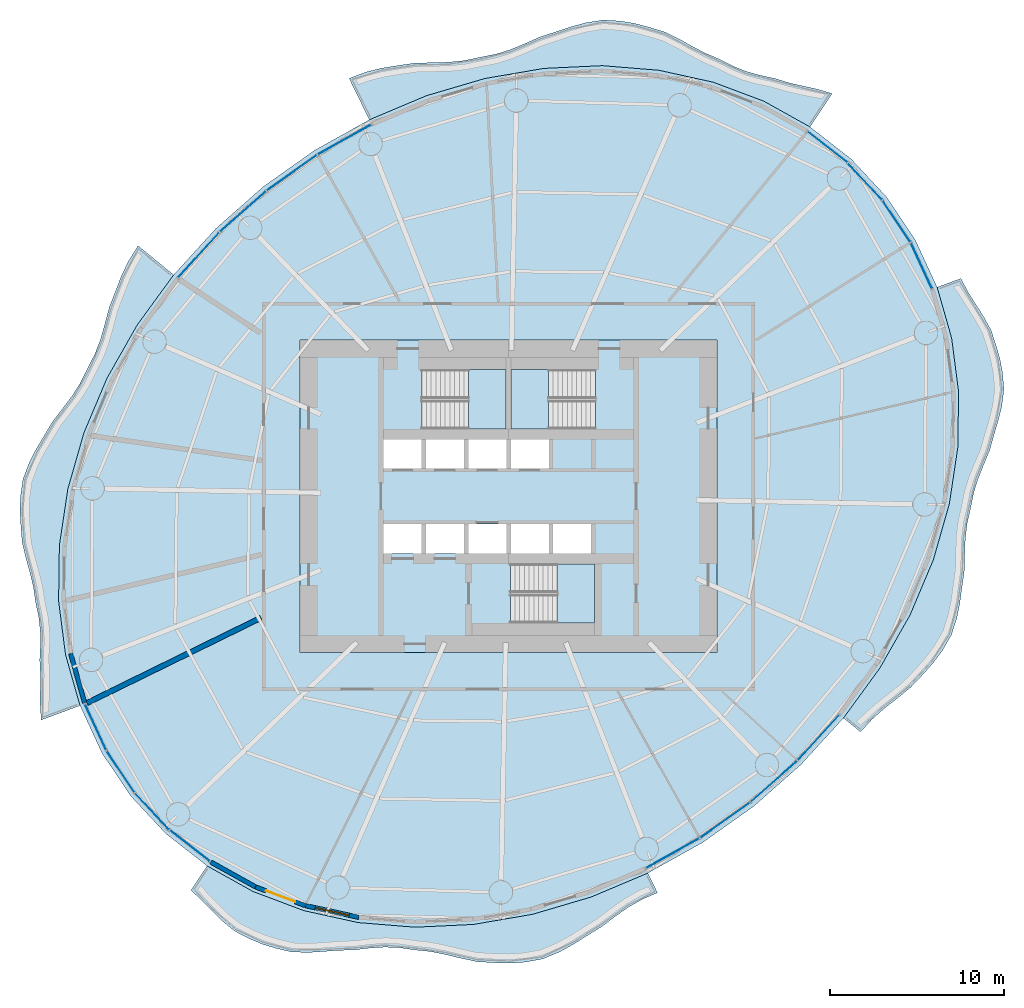
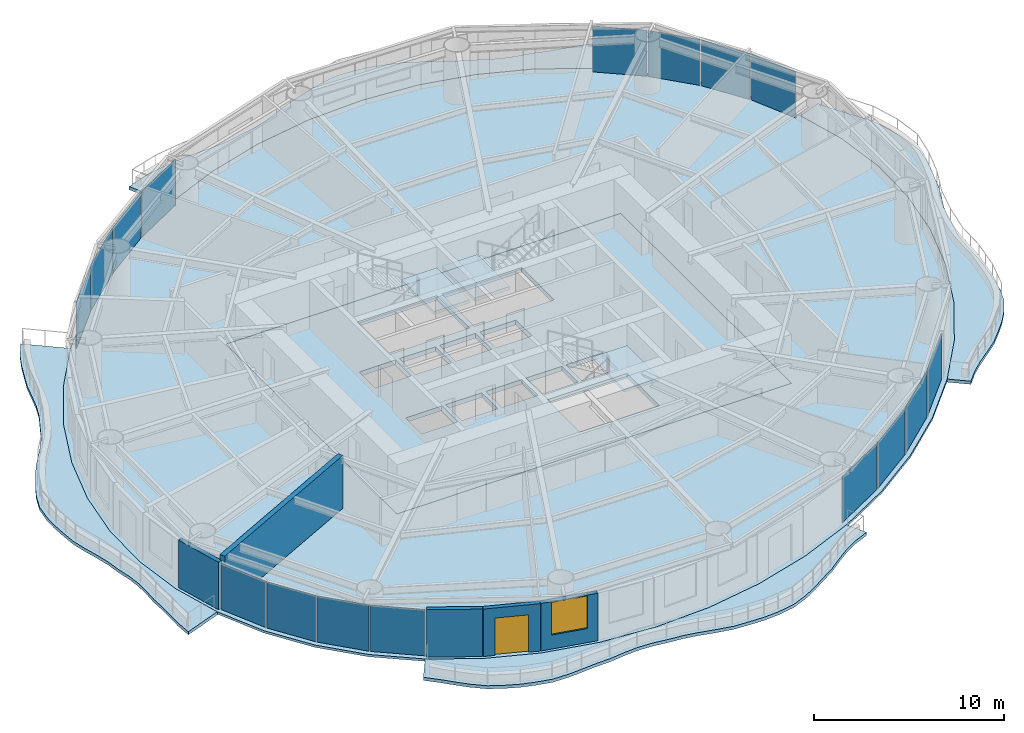
# One storey, part 7 of 14: 16 plates, 9 slabs, 5 walls, 1 door, 1 window, 2 openings, 19 elements without a shape of their own.
"""IFC4 building model written with IfcOpenShell, lengths in metres."""

from ifc_helpers import new_model, si_unit, direction, frame, frame_2d, origin, origin_2d, place, context, subcontext, project, spatial, polyline, rectangle, outline, extrude, material, layer, layer_set, type_object, element, fill, aggregate, save


model = new_model("IFC4")

# Units and contexts
model_context = context("Model", 3, precision=1e-05, world=origin(), true_north=direction((0.0, 1.0)))
body_context = subcontext(model_context, "Body", "Model", "MODEL_VIEW")
ifc_project = project(units=[si_unit("LENGTHUNIT", "METRE"), si_unit("AREAUNIT", "SQUARE_METRE"), si_unit("VOLUMEUNIT", "CUBIC_METRE"), si_unit("PLANEANGLEUNIT", "RADIAN"), si_unit("MASSUNIT", "GRAM", prefix="KILO")], contexts=[model_context])

# Site, building, storey
site_placement = place(None, origin())
site = spatial("IfcSite", under=ifc_project, at=site_placement, CompositionType="ELEMENT")
building_placement = place(site_placement, origin())
building = spatial("IfcBuilding", under=site, at=building_placement, Name="Vermilion Reach Broadcast Tower", CompositionType="ELEMENT")
storey_placement = place(building_placement, frame((0.0, 0.0, 186.60009765625)))
storey = spatial("IfcBuildingStorey", under=building, at=storey_placement, Name="L45", CompositionType="ELEMENT", Elevation=186.60009765625)

# Slabs
ifc_material_1 = material(Name="Concrete C40/50", Category="concrete")
ifc_layer_1 = layer(ifc_material_1, 0.199951171875)
ifc_layer_set_1 = layer_set([ifc_layer_1], Name="Balcony slab 200")
slab_type_1 = type_object("IfcSlabType", Name="Balcony slab 200", PredefinedType="FLOOR", material=ifc_layer_set_1)
placement_1 = place(storey_placement, frame((0.0, 0.0, -0.2001953125)))
element("IfcSlab", 1, at=placement_1, inside=storey, type_object=slab_type_1, Name="Balcony slab L45 group 1", PredefinedType="FLOOR", context=body_context, shape_type="SweptSolid", body=[
    extrude(outline(polyline([(11.361572265625, 21.275146484375), (8.69580078125, 22.758544921875), (5.77880859375, 23.852783203125), (2.66015625, 24.538818359375), (-0.6064453125, 24.804931640625), (-3.965576171875, 24.646728515625), (-7.359375, 24.066650390625), (-10.72998046875, 23.074951171875), (-14.01953125, 21.688232421875), (-15.1826171875, 24.072998046875), (-14.210693359375, 24.439453125), (-13.334716796875, 24.65869140625), (-12.42822265625, 24.805908203125), (-11.400390625, 24.95458984375), (-10.375244140625, 24.980712890625), (-9.467041015625, 25.005859375), (-8.577392578125, 25.09423828125), (-7.642822265625, 25.289794921875), (-6.72607421875, 25.469970703125), (-5.897216796875, 25.73046875), (-5.08154296875, 26.0673828125), (-4.163818359375, 26.472900390625), (-3.22412109375, 26.772705078125), (-2.3955078125, 27.048828125), (-1.564453125, 27.275146484375), (-0.5615234375, 27.434326171875), (0.425048828125, 27.376953125), (1.236572265625, 27.245361328125), (2.04150390625, 27.033935546875), (2.991943359375, 26.7490234375), (3.868408203125, 26.314697265625), (4.59619140625, 25.90771484375), (5.3291015625, 25.52392578125), (6.16796875, 25.167724609375), (6.95458984375, 24.769775390625), (7.677490234375, 24.478759765625), (8.427978515625, 24.262451171875), (9.305419921875, 24.076171875), (10.1572265625, 23.81591796875), (10.931396484375, 23.638671875), (11.71044921875, 23.47021484375), (12.63818359375, 23.201904296875), (11.361572265625, 21.275146484375)])), origin(), (0.0, 0.0, 1.0), 0.2001953125),
])
element("IfcSlab", 2, at=placement_1, inside=storey, type_object=slab_type_1, Name="Balcony slab L45 group 2", PredefinedType="FLOOR", context=body_context, shape_type="SweptSolid", body=[
    extrude(outline(polyline([(-25.283935546875, 12.76025390625), (-27.385009765625, 9.874267578125), (-29.120361328125, 6.819091796875), (-30.4599609375, 3.6474609375), (-31.381103515625, 0.413330078125), (-31.867919921875, -2.828125), (-31.912109375, -6.020751953125), (-31.51318359375, -9.110595703125), (-30.677490234375, -12.044677734375), (-32.915283203125, -12.87353515625), (-32.978271484375, -11.906982421875), (-32.96728515625, -11.11083984375), (-32.956298828125, -10.314697265625), (-33.0009765625, -9.4169921875), (-32.958740234375, -8.511962890625), (-32.96923828125, -7.72802734375), (-33.05712890625, -6.9541015625), (-33.236083984375, -6.0966796875), (-33.3671875, -5.202392578125), (-33.557861328125, -4.4013671875), (-33.782470703125, -3.599853515625), (-34.010498046875, -2.653076171875), (-34.087646484375, -1.666015625), (-34.13427734375, -0.830322265625), (-34.107421875, -0.005859375), (-33.9697265625, 0.973876953125), (-33.614501953125, 1.92333984375), (-33.2275390625, 2.687255859375), (-32.783203125, 3.43505859375), (-32.27783203125, 4.287353515625), (-31.66259765625, 5.089599609375), (-31.12890625, 5.798828125), (-30.6591796875, 6.53466796875), (-30.24365234375, 7.373046875), (-29.810791015625, 8.221435546875), (-29.4970703125, 9.053466796875), (-29.248779296875, 9.922607421875), (-28.986083984375, 10.906982421875), (-28.61474609375, 11.873291015625), (-28.280029296875, 12.733642578125), (-27.889892578125, 13.553466796875), (-27.3388671875, 14.436279296875), (-25.283935546875, 12.76025390625)])), origin(), (0.0, 0.0, 1.0), 0.2001953125),
])
element("IfcSlab", 3, at=placement_1, inside=storey, type_object=slab_type_1, Name="Balcony slab L45 group 3", PredefinedType="FLOOR", context=body_context, shape_type="SweptSolid", body=[
    extrude(outline(polyline([(-23.361572265625, -21.275146484375), (-20.69580078125, -22.758544921875), (-17.77880859375, -23.852783203125), (-14.66015625, -24.538818359375), (-11.3935546875, -24.804931640625), (-8.034423828125, -24.646728515625), (-4.640625, -24.066650390625), (-1.27001953125, -23.074951171875), (2.01953125, -21.688232421875), (2.5732421875, -22.8232421875), (1.68896484375, -23.201171875), (0.907958984375, -23.646728515625), (0.160888671875, -24.171875), (-0.658447265625, -24.78955078125), (-1.5244140625, -25.322265625), (-2.297119140625, -25.807373046875), (-3.085693359375, -26.2392578125), (-4.04541015625, -26.635009765625), (-5.0439453125, -26.816162109375), (-5.906982421875, -26.87646484375), (-6.7841796875, -26.853271484375), (-7.801513671875, -26.79248046875), (-8.78466796875, -26.5849609375), (-9.63623046875, -26.377685546875), (-10.485595703125, -26.209716796875), (-11.415771484375, -26.112548828125), (-12.311767578125, -25.98486328125), (-13.131103515625, -25.951904296875), (-13.95751953125, -26.003173828125), (-14.896728515625, -26.114501953125), (-15.830078125, -26.140869140625), (-16.661865234375, -26.206298828125), (-17.49072265625, -26.259033203125), (-18.4833984375, -26.234130859375), (-19.42138671875, -26.01416015625), (-20.167724609375, -25.786376953125), (-20.88623046875, -25.48388671875), (-21.753173828125, -25.043701171875), (-22.501953125, -24.435302734375), (-23.06591796875, -23.88037109375), (-23.6201171875, -23.307861328125), (-24.290283203125, -22.6767578125), (-23.361572265625, -21.275146484375)])), origin(), (0.0, 0.0, 1.0), 0.2001953125),
])
element("IfcSlab", 4, at=placement_1, inside=storey, type_object=slab_type_1, Name="Balcony slab L45 group 4", PredefinedType="FLOOR", context=body_context, shape_type="SweptSolid", body=[
    extrude(outline(polyline([(13.283935546875, -12.76025390625), (15.385009765625, -9.874267578125), (17.120361328125, -6.819091796875), (18.4599609375, -3.6474609375), (19.381103515625, -0.413330078125), (19.867919921875, 2.828125), (19.912109375, 6.020751953125), (19.51318359375, 9.110595703125), (18.677490234375, 12.044677734375), (20.0439453125, 12.55078125), (20.46484375, 11.7607421875), (20.88720703125, 11.088134765625), (21.319091796875, 10.41796875), (21.78271484375, 9.57763671875), (22.08251953125, 8.6572265625), (22.298828125, 7.89990234375), (22.440673828125, 7.1328125), (22.52685546875, 6.1708984375), (22.39599609375, 5.18798828125), (22.202392578125, 4.392333984375), (21.965087890625, 3.597412109375), (21.709716796875, 2.677734375), (21.336669921875, 1.77880859375), (21.02490234375, 0.9970703125), (20.780029296875, 0.205322265625), (20.60546875, -0.678466796875), (20.400634765625, -1.57763671875), (20.30126953125, -2.423583984375), (20.267578125, -3.2880859375), (20.2421875, -4.27490234375), (20.10205078125, -5.275390625), (19.9814453125, -6.158935546875), (19.80615234375, -7.01904296875), (19.4931640625, -7.989013671875), (18.975830078125, -8.883056640625), (18.448486328125, -9.59375), (17.8486328125, -10.263427734375), (17.142333984375, -11.0078125), (16.32861328125, -11.6650390625), (15.6005859375, -12.23876953125), (14.918701171875, -12.8466796875), (14.26611328125, -13.561279296875), (13.283935546875, -12.76025390625)])), origin(), (0.0, 0.0, 1.0), 0.2001953125),
])
ifc_material_2 = material(Name="Concrete C40", Category="concrete")
ifc_layer_2 = layer(ifc_material_2, 0.300048828125)
ifc_layer_set_2 = layer_set([ifc_layer_2], Name="Core floor slab 300 mm Concrete C40")
slab_type_2 = type_object("IfcSlabType", Name="Core floor slab 300 mm Concrete C40", PredefinedType="FLOOR", material=ifc_layer_set_2)
slab_5_placement = place(storey_placement, frame((0.0, 0.0, -0.300048828125)))
element("IfcSlab", 5, at=slab_5_placement, inside=storey, type_object=slab_type_2, Name="L45 core floor", PredefinedType="FLOOR", context=body_context, shape_type="SweptSolid", body=[
    extrude(outline(polyline([(-18.0, -9.0), (6.0, -9.0), (6.0, 9.0), (-18.0, 9.0), (-18.0, -9.0)]), holes=[polyline([(-13.199951171875, 1.60009765625), (-11.00830078125, 1.60009765625), (-11.00830078125, 3.280029296875), (-13.199951171875, 3.280029296875), (-13.199951171875, 1.60009765625)]), polyline([(-10.75830078125, 1.60009765625), (-8.566650390625, 1.60009765625), (-8.566650390625, 3.280029296875), (-10.75830078125, 3.280029296875), (-10.75830078125, 1.60009765625)]), polyline([(-8.316650390625, 1.60009765625), (-6.125, 1.60009765625), (-6.125, 3.280029296875), (-8.316650390625, 3.280029296875), (-8.316650390625, 1.60009765625)]), polyline([(-5.875, 1.60009765625), (-3.683349609375, 1.60009765625), (-3.683349609375, 3.280029296875), (-5.875, 3.280029296875), (-5.875, 1.60009765625)]), polyline([(-13.199951171875, -3.280029296875), (-11.00830078125, -3.280029296875), (-11.00830078125, -1.60009765625), (-13.199951171875, -1.60009765625), (-13.199951171875, -3.280029296875)]), polyline([(-10.75830078125, -3.280029296875), (-8.566650390625, -3.280029296875), (-8.566650390625, -1.60009765625), (-10.75830078125, -1.60009765625), (-10.75830078125, -3.280029296875)]), polyline([(-8.316650390625, -3.280029296875), (-6.125, -3.280029296875), (-6.125, -1.60009765625), (-8.316650390625, -1.60009765625), (-8.316650390625, -3.280029296875)]), polyline([(-5.875, -3.280029296875), (-3.683349609375, -3.280029296875), (-3.683349609375, -1.60009765625), (-5.875, -1.60009765625), (-5.875, -3.280029296875)]), polyline([(-3.433349609375, -3.280029296875), (-1.24169921875, -3.280029296875), (-1.24169921875, -1.60009765625), (-3.433349609375, -1.60009765625), (-3.433349609375, -3.280029296875)]), polyline([(-10.999267578125, 3.8798828125), (-6.14990234375, 3.8798828125), (-6.14990234375, 7.300048828125), (-10.999267578125, 7.300048828125), (-10.999267578125, 3.8798828125)]), polyline([(-1.000732421875, 7.300048828125), (-5.85009765625, 7.300048828125), (-5.85009765625, 3.8798828125), (-1.000732421875, 3.8798828125), (-1.000732421875, 7.300048828125)]), polyline([(-5.8994140625, -7.300048828125), (-1.050048828125, -7.300048828125), (-1.050048828125, -3.8798828125), (-5.8994140625, -3.8798828125), (-5.8994140625, -7.300048828125)])]), origin(), (0.0, 0.0, 1.0), 0.300048828125),
])

# Stair, slab
ifc_material_3 = material(Name="Concrete C40", Category="concrete")
stair_type = type_object("IfcStairType", Name="Exit stair RC 22 risers 164 mm", PredefinedType="HALF_TURN_STAIR", material=ifc_material_3)
placement_2 = place(storey_placement, origin())
stair_1 = element("IfcStair", 6, at=placement_2, inside=storey, type_object=stair_type, Name="L45 Exit stair ST1", PredefinedType="HALF_TURN_STAIR")
ifc_material_4 = material(Name="Concrete C40", Category="concrete")
ifc_layer_3 = layer(ifc_material_4, 0.199951171875)
ifc_layer_set_3 = layer_set([ifc_layer_3], Name="Exit stair landing Concrete C40")
slab_type_3 = type_object("IfcSlabType", Name="Exit stair landing Concrete C40", PredefinedType="LANDING", material=ifc_layer_set_3)
placement_3 = place(storey_placement, frame((0.0, 0.0, 1.599853515625)))
slab_6 = element("IfcSlab", 7, at=placement_3, type_object=slab_type_3, Name="ST1 landing 1", PredefinedType="LANDING", context=body_context, shape_type="SweptSolid", body=[
    extrude(outline(polyline([(-8.300048828125, 3.8798828125), (-6.14990234375, 3.8798828125), (-6.14990234375, 7.300048828125), (-8.300048828125, 7.300048828125), (-8.300048828125, 3.8798828125)])), origin(), (0.0, 0.0, 1.0), 0.199951171875),
])
aggregate(stair_1, [slab_6])

stair_2 = element("IfcStair", 8, at=placement_2, inside=storey, type_object=stair_type, Name="L45 Exit stair ST2", PredefinedType="HALF_TURN_STAIR")
slab_7 = element("IfcSlab", 9, at=placement_3, type_object=slab_type_3, Name="ST2 landing 1", PredefinedType="LANDING", context=body_context, shape_type="SweptSolid", body=[
    extrude(outline(polyline([(-3.699951171875, 7.300048828125), (-5.85009765625, 7.300048828125), (-5.85009765625, 3.8798828125), (-3.699951171875, 3.8798828125), (-3.699951171875, 7.300048828125)])), origin(), (0.0, 0.0, 1.0), 0.199951171875),
])
aggregate(stair_2, [slab_7])

stair_3 = element("IfcStair", 10, at=placement_2, inside=storey, type_object=stair_type, Name="L45 Exit stair ST3", PredefinedType="HALF_TURN_STAIR")
slab_8 = element("IfcSlab", 11, at=placement_3, type_object=slab_type_3, Name="ST3 landing 1", PredefinedType="LANDING", context=body_context, shape_type="SweptSolid", body=[
    extrude(outline(polyline([(-3.199951171875, -7.300048828125), (-1.050048828125, -7.300048828125), (-1.050048828125, -3.8798828125), (-3.199951171875, -3.8798828125), (-3.199951171875, -7.300048828125)])), origin(), (0.0, 0.0, 1.0), 0.199951171875),
])
aggregate(stair_3, [slab_8])

# Slab
ifc_material_5 = material(Name="Concrete C40", Category="concrete")
ifc_layer_4 = layer(ifc_material_5, 0.14990234375)
ifc_layer_set_4 = layer_set([ifc_layer_4], Name="Floor slab Concrete C40 composite 150")
slab_type_4 = type_object("IfcSlabType", Name="Floor slab Concrete C40 composite 150", PredefinedType="FLOOR", material=ifc_layer_set_4)
slab_9_placement = place(storey_placement, frame((0.0, 0.0, -0.150146484375)))
element("IfcSlab", 12, at=slab_9_placement, inside=storey, type_object=slab_type_4, Name="Floor slab L45", PredefinedType="FLOOR", context=body_context, shape_type="SweptSolid", body=[
    extrude(outline(polyline([(15.760986328125, 17.24755859375), (13.72998046875, 19.427490234375), (11.361572265625, 21.275146484375), (8.69580078125, 22.758544921875), (5.77880859375, 23.852783203125), (2.66015625, 24.538818359375), (-0.6064453125, 24.804931640625), (-3.965576171875, 24.646728515625), (-7.359375, 24.066650390625), (-10.72998046875, 23.074951171875), (-14.01953125, 21.688232421875), (-17.172119140625, 19.9306640625), (-20.13330078125, 17.831787109375), (-22.852783203125, 15.427978515625), (-25.283935546875, 12.76025390625), (-27.385009765625, 9.874267578125), (-29.120361328125, 6.819091796875), (-30.4599609375, 3.6474609375), (-31.381103515625, 0.413330078125), (-31.867919921875, -2.828125), (-31.912109375, -6.020751953125), (-31.51318359375, -9.110595703125), (-30.677490234375, -12.044677734375), (-29.419677734375, -14.7724609375), (-27.760986328125, -17.24755859375), (-25.72998046875, -19.427490234375), (-23.361572265625, -21.275146484375), (-20.69580078125, -22.758544921875), (-17.77880859375, -23.852783203125), (-14.66015625, -24.538818359375), (-11.3935546875, -24.804931640625), (-8.034423828125, -24.646728515625), (-4.640625, -24.066650390625), (-1.27001953125, -23.074951171875), (2.01953125, -21.688232421875), (5.172119140625, -19.9306640625), (8.13330078125, -17.831787109375), (10.852783203125, -15.427978515625), (13.283935546875, -12.76025390625), (15.385009765625, -9.874267578125), (17.120361328125, -6.819091796875), (18.4599609375, -3.6474609375), (19.381103515625, -0.413330078125), (19.867919921875, 2.828125), (19.912109375, 6.020751953125), (19.51318359375, 9.110595703125), (18.677490234375, 12.044677734375), (17.419677734375, 14.7724609375), (15.760986328125, 17.24755859375)]), holes=[polyline([(-18.0, -9.0), (6.0, -9.0), (6.0, 9.0), (-18.0, 9.0), (-18.0, -9.0)])]), origin(), (0.0, 0.0, 1.0), 0.150146484375),
])

# Curtain wall, plate
ifc_material_6 = material(Name="Low-e laminated clear glass in aluminium frame", Category="aluminium")
curtain_wall_type = type_object("IfcCurtainWallType", Name="Slot curtain wall", PredefinedType="NOTDEFINED", material=ifc_material_6)
curtain_wall_1 = element("IfcCurtainWall", 13, at=placement_2, inside=storey, type_object=curtain_wall_type, Name="Slot curtain wall L45 46", PredefinedType="NOTDEFINED")
ifc_material_7 = material(Name="Low-e laminated clear glass", Category="glass")
ifc_layer_5 = layer(ifc_material_7, 0.028076171875)
ifc_layer_set_5 = layer_set([ifc_layer_5], Name="Slot glass panel")
plate_type = type_object("IfcPlateType", Name="Slot glass panel", PredefinedType="CURTAIN_PANEL", material=ifc_layer_set_5)
plate_1_placement = place(storey_placement, frame((17.77685546875, 13.283203125, 0.0), z_axis=(0.0, 0.0, 1.0), x_axis=(-0.418746562488, 0.908103141942, 0.0)))
plate_1 = element("IfcPlate", 14, at=plate_1_placement, type_object=plate_type, Name="Slot glass panel L45 46", PredefinedType="CURTAIN_PANEL", context=body_context, shape_type="SweptSolid", body=[
    extrude(rectangle(XDim=2.876953125, YDim=0.028076171875, at=origin_2d()), origin(), (0.0, 0.0, 1.0), 2.949951171875),
])
aggregate(curtain_wall_1, [plate_1])

curtain_wall_2 = element("IfcCurtainWall", 15, at=placement_2, inside=storey, type_object=curtain_wall_type, Name="Slot curtain wall L45 47", PredefinedType="NOTDEFINED")
plate_2_placement = place(storey_placement, frame((16.341796875, 15.843505859375, 0.0), z_axis=(0.0, 0.0, 1.0), x_axis=(-0.556683660747, 0.830724564376, 0.0)))
plate_2 = element("IfcPlate", 16, at=plate_2_placement, type_object=plate_type, Name="Slot glass panel L45 47", PredefinedType="CURTAIN_PANEL", context=body_context, shape_type="SweptSolid", body=[
    extrude(rectangle(XDim=2.851806640625, YDim=0.028076171875, at=origin_2d()), origin(), (0.0, 0.0, 1.0), 2.949951171875),
])
aggregate(curtain_wall_2, [plate_2])

curtain_wall_3 = element("IfcCurtainWall", 17, at=placement_2, inside=storey, type_object=curtain_wall_type, Name="Slot curtain wall L45 00", PredefinedType="NOTDEFINED")
plate_3_placement = place(storey_placement, frame((14.526611328125, 18.1337890625, 0.0), z_axis=(0.0, 0.0, 1.0), x_axis=(-0.681656703686, 0.73167215221, 0.0)))
plate_3 = element("IfcPlate", 18, at=plate_3_placement, type_object=plate_type, Name="Slot glass panel L45 00", PredefinedType="CURTAIN_PANEL", context=body_context, shape_type="SweptSolid", body=[
    extrude(rectangle(XDim=2.851806640625, YDim=0.028076171875, at=origin_2d()), origin(), (0.0, 0.0, 1.0), 2.949951171875),
])
aggregate(curtain_wall_3, [plate_3])

curtain_wall_4 = element("IfcCurtainWall", 19, at=placement_2, inside=storey, type_object=curtain_wall_type, Name="Slot curtain wall L45 01", PredefinedType="NOTDEFINED")
plate_4_placement = place(storey_placement, frame((12.361572265625, 20.115478515625, 0.0), z_axis=(0.0, 0.0, 1.0), x_axis=(-0.788488896711, 0.615048989727, 0.0)))
plate_4 = element("IfcPlate", 20, at=plate_4_placement, type_object=plate_type, Name="Slot glass panel L45 01", PredefinedType="CURTAIN_PANEL", context=body_context, shape_type="SweptSolid", body=[
    extrude(rectangle(XDim=2.876953125, YDim=0.028076171875, at=origin_2d()), origin(), (0.0, 0.0, 1.0), 2.949951171875),
])
aggregate(curtain_wall_4, [plate_4])

curtain_wall_5 = element("IfcCurtainWall", 21, at=placement_2, inside=storey, type_object=curtain_wall_type, Name="Slot curtain wall L45 10", PredefinedType="NOTDEFINED")
plate_5_placement = place(storey_placement, frame((-15.449951171875, 20.5478515625, 0.0), z_axis=(0.0, 0.0, 1.0), x_axis=(-0.87341163473, -0.486982665315, 0.0)))
plate_5 = element("IfcPlate", 22, at=plate_5_placement, type_object=plate_type, Name="Slot glass panel L45 10", PredefinedType="CURTAIN_PANEL", context=body_context, shape_type="SweptSolid", body=[
    extrude(rectangle(XDim=3.496826171875, YDim=0.028076171875, at=origin_2d()), origin(), (0.0, 0.0, 1.0), 2.949951171875),
])
aggregate(curtain_wall_5, [plate_5])

curtain_wall_6 = element("IfcCurtainWall", 23, at=placement_2, inside=storey, type_object=curtain_wall_type, Name="Slot curtain wall L45 11", PredefinedType="NOTDEFINED")
plate_6_placement = place(storey_placement, frame((-18.4794921875, 18.63671875, 0.0), z_axis=(0.0, 0.0, 1.0), x_axis=(-0.81587849348, -0.578223385793, 0.0)))
plate_6 = element("IfcPlate", 24, at=plate_6_placement, type_object=plate_type, Name="Slot glass panel L45 11", PredefinedType="CURTAIN_PANEL", context=body_context, shape_type="SweptSolid", body=[
    extrude(rectangle(XDim=3.517333984375, YDim=0.028076171875, at=origin_2d()), origin(), (0.0, 0.0, 1.0), 2.949951171875),
])
aggregate(curtain_wall_6, [plate_6])

curtain_wall_7 = element("IfcCurtainWall", 25, at=placement_2, inside=storey, type_object=curtain_wall_type, Name="Slot curtain wall L45 12", PredefinedType="NOTDEFINED")
plate_7_placement = place(storey_placement, frame((-21.294677734375, 16.405517578125, 0.0), z_axis=(0.0, 0.0, 1.0), x_axis=(-0.749252638142, -0.662284292609, 0.0)))
plate_7 = element("IfcPlate", 26, at=plate_7_placement, type_object=plate_type, Name="Slot glass panel L45 12", PredefinedType="CURTAIN_PANEL", context=body_context, shape_type="SweptSolid", body=[
    extrude(rectangle(XDim=3.517333984375, YDim=0.028076171875, at=origin_2d()), origin(), (0.0, 0.0, 1.0), 2.949951171875),
])
aggregate(curtain_wall_7, [plate_7])

curtain_wall_8 = element("IfcCurtainWall", 27, at=placement_2, inside=storey, type_object=curtain_wall_type, Name="Slot curtain wall L45 13", PredefinedType="NOTDEFINED")
plate_8_placement = place(storey_placement, frame((-23.846923828125, 13.892578125, 0.0), z_axis=(0.0, 0.0, 1.0), x_axis=(-0.673560296624, -0.739132279644, 0.0)))
plate_8 = element("IfcPlate", 28, at=plate_8_placement, type_object=plate_type, Name="Slot glass panel L45 13", PredefinedType="CURTAIN_PANEL", context=body_context, shape_type="SweptSolid", body=[
    extrude(rectangle(XDim=3.496826171875, YDim=0.028076171875, at=origin_2d()), origin(), (0.0, 0.0, 1.0), 2.949951171875),
])
aggregate(curtain_wall_8, [plate_8])

curtain_wall_9 = element("IfcCurtainWall", 29, at=placement_2, inside=storey, type_object=curtain_wall_type, Name="Slot curtain wall L45 22", PredefinedType="NOTDEFINED")
plate_9_placement = place(storey_placement, frame((-29.77685546875, -13.283203125, 0.0), z_axis=(0.0, 0.0, 1.0), x_axis=(0.418746562488, -0.908103141942, 0.0)))
plate_9 = element("IfcPlate", 30, at=plate_9_placement, type_object=plate_type, Name="Slot glass panel L45 22", PredefinedType="CURTAIN_PANEL", context=body_context, shape_type="SweptSolid", body=[
    extrude(rectangle(XDim=2.876953125, YDim=0.028076171875, at=origin_2d()), origin(), (0.0, 0.0, 1.0), 2.949951171875),
])
aggregate(curtain_wall_9, [plate_9])

curtain_wall_10 = element("IfcCurtainWall", 31, at=placement_2, inside=storey, type_object=curtain_wall_type, Name="Slot curtain wall L45 23", PredefinedType="NOTDEFINED")
plate_10_placement = place(storey_placement, frame((-28.341796875, -15.843505859375, 0.0), z_axis=(0.0, 0.0, 1.0), x_axis=(0.556683660747, -0.830724564376, 0.0)))
plate_10 = element("IfcPlate", 32, at=plate_10_placement, type_object=plate_type, Name="Slot glass panel L45 23", PredefinedType="CURTAIN_PANEL", context=body_context, shape_type="SweptSolid", body=[
    extrude(rectangle(XDim=2.851806640625, YDim=0.028076171875, at=origin_2d()), origin(), (0.0, 0.0, 1.0), 2.949951171875),
])
aggregate(curtain_wall_10, [plate_10])

curtain_wall_11 = element("IfcCurtainWall", 33, at=placement_2, inside=storey, type_object=curtain_wall_type, Name="Slot curtain wall L45 24", PredefinedType="NOTDEFINED")
plate_11_placement = place(storey_placement, frame((-26.526611328125, -18.1337890625, 0.0), z_axis=(0.0, 0.0, 1.0), x_axis=(0.681656703686, -0.73167215221, 0.0)))
plate_11 = element("IfcPlate", 34, at=plate_11_placement, type_object=plate_type, Name="Slot glass panel L45 24", PredefinedType="CURTAIN_PANEL", context=body_context, shape_type="SweptSolid", body=[
    extrude(rectangle(XDim=2.851806640625, YDim=0.028076171875, at=origin_2d()), origin(), (0.0, 0.0, 1.0), 2.949951171875),
])
aggregate(curtain_wall_11, [plate_11])

curtain_wall_12 = element("IfcCurtainWall", 35, at=placement_2, inside=storey, type_object=curtain_wall_type, Name="Slot curtain wall L45 25", PredefinedType="NOTDEFINED")
plate_12_placement = place(storey_placement, frame((-24.361572265625, -20.115478515625, 0.0), z_axis=(0.0, 0.0, 1.0), x_axis=(0.788488896711, -0.615048989727, 0.0)))
plate_12 = element("IfcPlate", 36, at=plate_12_placement, type_object=plate_type, Name="Slot glass panel L45 25", PredefinedType="CURTAIN_PANEL", context=body_context, shape_type="SweptSolid", body=[
    extrude(rectangle(XDim=2.876953125, YDim=0.028076171875, at=origin_2d()), origin(), (0.0, 0.0, 1.0), 2.949951171875),
])
aggregate(curtain_wall_12, [plate_12])

curtain_wall_13 = element("IfcCurtainWall", 37, at=placement_2, inside=storey, type_object=curtain_wall_type, Name="Slot curtain wall L45 34", PredefinedType="NOTDEFINED")
plate_13_placement = place(storey_placement, frame((3.449951171875, -20.5478515625, 0.0), z_axis=(0.0, 0.0, 1.0), x_axis=(0.87341163473, 0.486982665315, 0.0)))
plate_13 = element("IfcPlate", 38, at=plate_13_placement, type_object=plate_type, Name="Slot glass panel L45 34", PredefinedType="CURTAIN_PANEL", context=body_context, shape_type="SweptSolid", body=[
    extrude(rectangle(XDim=3.496826171875, YDim=0.028076171875, at=origin_2d()), origin(), (0.0, 0.0, 1.0), 2.949951171875),
])
aggregate(curtain_wall_13, [plate_13])

curtain_wall_14 = element("IfcCurtainWall", 39, at=placement_2, inside=storey, type_object=curtain_wall_type, Name="Slot curtain wall L45 35", PredefinedType="NOTDEFINED")
plate_14_placement = place(storey_placement, frame((6.4794921875, -18.63671875, 0.0), z_axis=(0.0, 0.0, 1.0), x_axis=(0.81587849348, 0.578223385793, 0.0)))
plate_14 = element("IfcPlate", 40, at=plate_14_placement, type_object=plate_type, Name="Slot glass panel L45 35", PredefinedType="CURTAIN_PANEL", context=body_context, shape_type="SweptSolid", body=[
    extrude(rectangle(XDim=3.517333984375, YDim=0.028076171875, at=origin_2d()), origin(), (0.0, 0.0, 1.0), 2.949951171875),
])
aggregate(curtain_wall_14, [plate_14])

curtain_wall_15 = element("IfcCurtainWall", 41, at=placement_2, inside=storey, type_object=curtain_wall_type, Name="Slot curtain wall L45 36", PredefinedType="NOTDEFINED")
plate_15_placement = place(storey_placement, frame((9.294677734375, -16.405517578125, 0.0), z_axis=(0.0, 0.0, 1.0), x_axis=(0.749252638142, 0.662284292609, 0.0)))
plate_15 = element("IfcPlate", 42, at=plate_15_placement, type_object=plate_type, Name="Slot glass panel L45 36", PredefinedType="CURTAIN_PANEL", context=body_context, shape_type="SweptSolid", body=[
    extrude(rectangle(XDim=3.517333984375, YDim=0.028076171875, at=origin_2d()), origin(), (0.0, 0.0, 1.0), 2.949951171875),
])
aggregate(curtain_wall_15, [plate_15])

curtain_wall_16 = element("IfcCurtainWall", 43, at=placement_2, inside=storey, type_object=curtain_wall_type, Name="Slot curtain wall L45 37", PredefinedType="NOTDEFINED")
plate_16_placement = place(storey_placement, frame((11.846923828125, -13.892578125, 0.0), z_axis=(0.0, 0.0, 1.0), x_axis=(0.673560296624, 0.739132279644, 0.0)))
plate_16 = element("IfcPlate", 44, at=plate_16_placement, type_object=plate_type, Name="Slot glass panel L45 37", PredefinedType="CURTAIN_PANEL", context=body_context, shape_type="SweptSolid", body=[
    extrude(rectangle(XDim=3.496826171875, YDim=0.028076171875, at=origin_2d()), origin(), (0.0, 0.0, 1.0), 2.949951171875),
])
aggregate(curtain_wall_16, [plate_16])

# Walls
ifc_material_8 = material(Name="Double-leaf plasterboard on isolated steel stud", Category="steel")
ifc_layer_6 = layer(ifc_material_8, 0.300048828125)
ifc_layer_set_6 = layer_set([ifc_layer_6], Name="Partition 300 acoustic double leaf")
wall_type_1 = type_object("IfcWallType", Name="Partition 300 acoustic double leaf", PredefinedType="PARTITIONING", material=ifc_layer_set_6)
wall_1_placement = place(storey_placement, frame((-30.27880859375, -11.897216796875, 0.0), z_axis=(0.0, 0.0, 1.0), x_axis=(0.897980611591, 0.440035022704, 0.0)))
element("IfcWall", 45, at=wall_1_placement, inside=storey, type_object=wall_type_1, Name="Partition 45.07", PredefinedType="PARTITIONING", context=body_context, shape_type="SweptSolid", body=[
    extrude(rectangle(XDim=11.150146484375, YDim=0.300048828125, at=frame_2d((5.5751953125, 0.0))), origin(), (0.0, 0.0, 1.0), 3.39990234375),
])
ifc_material_9 = material(Name="Terracotta rainscreen cladding", Category="masonry")
ifc_layer_7 = layer(ifc_material_9, 0.25)
ifc_layer_set_7 = layer_set([ifc_layer_7], Name="Terracotta rainscreen wall 250")
wall_type_2 = type_object("IfcWallType", Name="Terracotta rainscreen wall 250", PredefinedType="SOLIDWALL", material=ifc_layer_set_7)
for number, where, z_axis, x_axis, name in (
    (46, (-31.215576171875, -9.063232421875, 0.0), (0.0, 0.0, 1.0), (0.273919515729, -0.96175261835, 0.0), "External wall L45 21"),
    (47, (-23.14794921875, -21.051513671875, 0.0), (0.0, 0.0, 1.0), (0.87378450028, -0.486313321914, 0.0), "External wall L45 26"),
):
    element("IfcWall", number, at=place(storey_placement, frame(where, z_axis=z_axis, x_axis=x_axis)), inside=storey, type_object=wall_type_2, Name=name, PredefinedType="SOLIDWALL", context=body_context, shape_type="SweptSolid", body=[
        extrude(rectangle(XDim=2.936767578125, YDim=0.25, at=frame_2d((1.46826171875, 0.0))), origin(), (0.0, 0.0, 1.0), 3.0498046875),
    ])

# Wall, opening, door
wall_2_placement = place(storey_placement, frame((-20.5576171875, -22.490966796875, 0.0), z_axis=(0.0, 0.0, 1.0), x_axis=(0.936302820001, -0.351193720413, 0.0)))
wall_2 = element("IfcWall", 48, at=wall_2_placement, inside=storey, type_object=wall_type_2, Name="External wall L45 27", PredefinedType="SOLIDWALL", context=body_context, shape_type="SweptSolid", body=[
    extrude(rectangle(XDim=3.045654296875, YDim=0.25, at=frame_2d((1.52294921875, 0.0))), origin(), (0.0, 0.0, 1.0), 3.0498046875),
])
opening_1_placement = place(wall_2_placement, frame((0.623046875, 0.0, 0.0)))
opening_1 = element("IfcOpeningElement", 49, at=opening_1_placement, cuts=wall_2, Name="Opening D70", PredefinedType="OPENING", context=body_context, shape_type="SweptSolid", body=[
    extrude(rectangle(XDim=1.800048828125, YDim=2.39990234375, at=frame_2d((0.89990234375, 1.199951171875))), frame((0.0, 0.135009765625, 0.0), z_axis=(0.0, -1.0, 0.0), x_axis=(1.0, 0.0, 0.0)), (0.0, 0.0, 1.0), 0.27001953125),
])
ifc_material_10 = material(Name="Low-e laminated clear glass in aluminium frame", Category="aluminium")
door_type = type_object("IfcDoorType", Name="Balcony sliding door 1800 x 2400", OperationType="DOUBLE_DOOR_SLIDING", PredefinedType="DOOR", material=ifc_material_10)
door_placement = place(opening_1_placement, origin())
door = element("IfcDoor", 50, at=door_placement, inside=storey, type_object=door_type, Name="Balcony door L45 run 07", OperationType="DOUBLE_DOOR_SLIDING", OverallHeight=2.39990234375, OverallWidth=1.800048828125, PredefinedType="DOOR", context=body_context, shape_type="SweptSolid", body=[
    extrude(rectangle(XDim=1.800048828125, YDim=2.39990234375, at=frame_2d((0.89990234375, 1.199951171875))), frame((0.0, 0.02490234375, 0.0), z_axis=(0.0, -1.0, 0.0), x_axis=(1.0, 0.0, 0.0)), (0.0, 0.0, 1.0), 0.050048828125),
])
fill(opening_1, door)

# Wall, opening, window
wall_3_placement = place(storey_placement, frame((-17.681396484375, -23.56787109375, 0.0), z_axis=(0.0, 0.0, 1.0), x_axis=(0.976666093786, -0.214763454175, 0.0)))
wall_3 = element("IfcWall", 51, at=wall_3_placement, inside=storey, type_object=wall_type_2, Name="External wall L45 28", PredefinedType="SOLIDWALL", context=body_context, shape_type="SweptSolid", body=[
    extrude(rectangle(XDim=3.126220703125, YDim=0.25, at=frame_2d((1.56298828125, 0.0))), origin(), (0.0, 0.0, 1.0), 3.0498046875),
])
opening_2_placement = place(wall_3_placement, frame((0.56298828125, 0.0, 0.89990234375)))
opening_2 = element("IfcOpeningElement", 52, at=opening_2_placement, cuts=wall_3, Name="Opening W03", PredefinedType="OPENING", context=body_context, shape_type="SweptSolid", body=[
    extrude(rectangle(XDim=2.0, YDim=2.10009765625, at=frame_2d((1.0, 1.050048828125))), frame((0.0, 0.135009765625, 0.0), z_axis=(0.0, -1.0, 0.0), x_axis=(1.0, 0.0, 0.0)), (0.0, 0.0, 1.0), 0.27001953125),
])
ifc_material_11 = material(Name="Low-e laminated clear glass in aluminium frame", Category="aluminium")
window_type = type_object("IfcWindowType", Name="Punched window 2000 x 2100 sill 900", PartitioningType="SINGLE_PANEL", PredefinedType="WINDOW", material=ifc_material_11)
window_placement = place(opening_2_placement, origin())
window = element("IfcWindow", 53, at=window_placement, inside=storey, type_object=window_type, Name="Window L45 28", OverallHeight=2.10009765625, OverallWidth=2.0, PartitioningType="SINGLE_PANEL", PredefinedType="WINDOW", context=body_context, shape_type="SweptSolid", body=[
    extrude(rectangle(XDim=2.0, YDim=2.10009765625, at=frame_2d((1.0, 1.050048828125))), frame((0.0, 0.030029296875, 0.0), z_axis=(0.0, -1.0, 0.0), x_axis=(1.0, 0.0, 0.0)), (0.0, 0.0, 1.0), 0.06005859375),
])
fill(opening_2, window)

save(model, "model.ifc")
